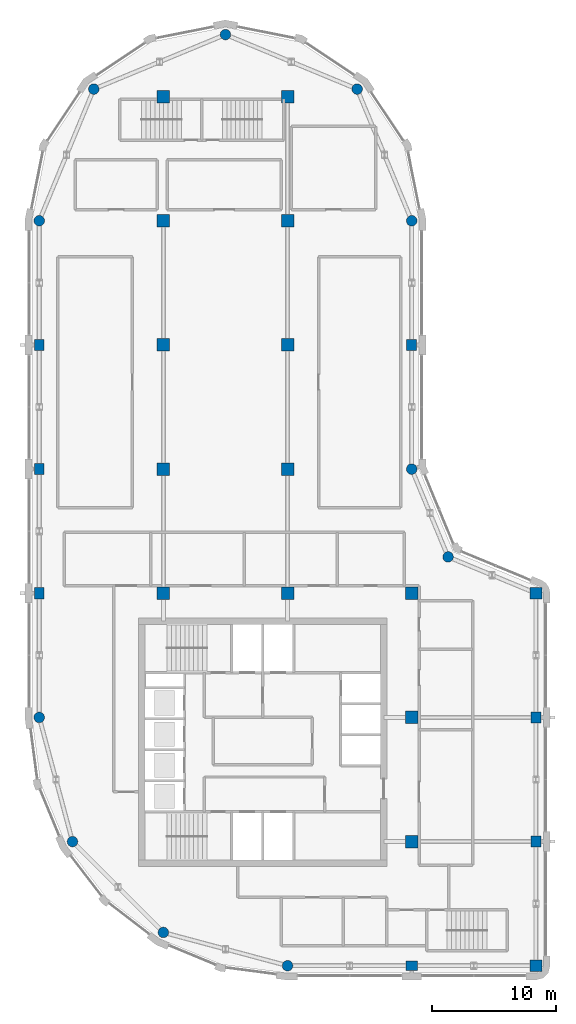
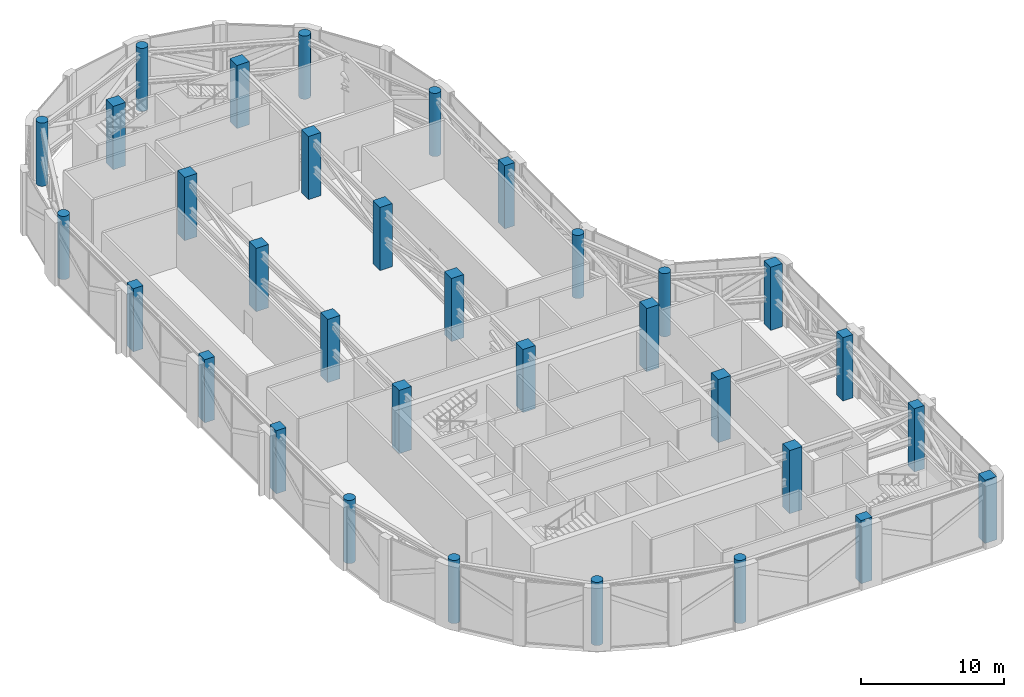
# One storey, part 1 of 18: 33 columns.
"""IFC4 building model written with IfcOpenShell, lengths in metres."""

import ifcopenshell
import ifcopenshell.guid

model = None  # the IFC model being written
_history = None  # IfcOwnerHistory: only IFC2X3 demands one
_inside = {}  # id of a spatial element -> (the spatial element, [elements in it])
_under = {}  # id of a project, library or spatial element -> (it, [spatial elements below it])
_declared = {}  # id of a project -> (the project, [libraries it declares])
_typed = {}  # id of a type object -> (the type object, [elements of that type])
_made_of = {}  # id of a material, layer set ... -> (it, [elements and type objects made of it])


def new_model(schema):
    """Start an empty IFC model of exactly this schema.

    Asked for "IFC4X3", IfcOpenShell would pick the latest addendum, in which some entities
    have other attributes; the version numbers below select the first issue.
    IFC2X3 requires an IfcOwnerHistory on every rooted entity: one is made here for all.
    """
    global model, _history
    if schema == "IFC4X3":
        model = ifcopenshell.file(schema_version=(4, 3, 0, 0))
    else:
        model = ifcopenshell.file(schema=schema)
    _inside.clear()
    _under.clear()
    _declared.clear()
    _typed.clear()
    _made_of.clear()
    _history = None
    if model.schema == "IFC2X3":
        org = make("IfcOrganization", Name="unknown")
        user = make(
            "IfcPersonAndOrganization",
            ThePerson=make("IfcPerson", FamilyName="unknown"),
            TheOrganization=org,
        )
        app = make(
            "IfcApplication",
            ApplicationDeveloper=org,
            Version="unknown",
            ApplicationFullName="unknown",
            ApplicationIdentifier="unknown",
        )
        _history = make(
            "IfcOwnerHistory",
            OwningUser=user,
            OwningApplication=app,
            ChangeAction="ADDED",
            CreationDate=0,
        )
    return model


def make(cls, **values):
    """One entity of the class cls with the attributes given. An attribute that is None is left unset."""
    return model.create_entity(
        cls, **{name: value for name, value in values.items() if value is not None}
    )


def rooted(cls, **values):
    """An entity with a GlobalId (a new one), such as an element, a storey or a relation."""
    return make(cls, GlobalId=ifcopenshell.guid.new(), OwnerHistory=_history, **values)


def si_unit(unit_type, name, prefix=None):
    """IfcSIUnit, for example si_unit("LENGTHUNIT", "METRE", prefix="MILLI")."""
    return make("IfcSIUnit", UnitType=unit_type, Prefix=prefix, Name=name)


def assignment(units):
    """IfcUnitAssignment: the units of a project."""
    return None if units is None else make("IfcUnitAssignment", Units=units)


def point(xyz):
    """IfcCartesianPoint."""
    return None if xyz is None else make("IfcCartesianPoint", Coordinates=xyz)


def direction(xyz):
    """IfcDirection."""
    return None if xyz is None else make("IfcDirection", DirectionRatios=xyz)


def frame(location, z_axis=None, x_axis=None):
    """IfcAxis2Placement3D, a coordinate frame: its origin and axes. An axis left out is left unset."""
    return make(
        "IfcAxis2Placement3D",
        Location=point(location),
        Axis=direction(z_axis),
        RefDirection=direction(x_axis),
    )


def frame_2d(location, x_axis=None):
    """IfcAxis2Placement2D, a coordinate frame in the plane: its origin and x axis."""
    return make(
        "IfcAxis2Placement2D", Location=point(location), RefDirection=direction(x_axis)
    )


def origin():
    """The frame at (0, 0, 0) with its axes left unset."""
    return frame((0.0, 0.0, 0.0))


def origin_2d():
    """The frame at (0, 0) in the plane with its x axis left unset."""
    return frame_2d((0.0, 0.0))


def place(relative_to, where):
    """IfcLocalPlacement: puts the frame where relative to a parent placement (None: the world)."""
    return make(
        "IfcLocalPlacement", PlacementRelTo=relative_to, RelativePlacement=where
    )


def context(
    kind, dimensions, precision=None, world=None, true_north=None, identifier=None
):
    """IfcGeometricRepresentationContext, for example the 3D "Model" context."""
    return make(
        "IfcGeometricRepresentationContext",
        ContextIdentifier=identifier,
        ContextType=kind,
        CoordinateSpaceDimension=dimensions,
        Precision=precision,
        WorldCoordinateSystem=world,
        TrueNorth=true_north,
    )


def subcontext(parent, identifier, kind, view, scale=None):
    """IfcGeometricRepresentationSubContext, for example "Body" below "Model"."""
    return make(
        "IfcGeometricRepresentationSubContext",
        ContextIdentifier=identifier,
        ContextType=kind,
        ParentContext=parent,
        TargetScale=scale,
        TargetView=view,
    )


def project(units=None, contexts=None):
    """IfcProject with its units and contexts."""
    return rooted(
        "IfcProject",
        Name="project",
        RepresentationContexts=contexts,
        UnitsInContext=assignment(units),
    )


def spatial(cls, under=None, at=None, **own):
    """A site, building, storey or space (cls), placed at a placement, below another one or the project."""
    s = rooted(cls, ObjectPlacement=at, **own)
    if under is not None:
        _under.setdefault(under.id(), (under, []))[1].append(s)
    return s


def profile(cls, at=None, kind="AREA", **sizes):
    """A parametric profile (cls). Its sizes go by their IFC names, for example OverallWidth=200.0."""
    return make(cls, ProfileType=kind, Position=at, **sizes)


def rectangle(**sizes):
    """IfcRectangleProfileDef."""
    return profile("IfcRectangleProfileDef", **sizes)


def circle(**sizes):
    """IfcCircleProfileDef."""
    return profile("IfcCircleProfileDef", **sizes)


def extrude(swept, where, along, depth):
    """IfcExtrudedAreaSolid: the profile swept, set in the frame where, extruded along a direction by depth."""
    return make(
        "IfcExtrudedAreaSolid",
        SweptArea=swept,
        Position=where,
        ExtrudedDirection=direction(along),
        Depth=depth,
    )


def shape(context_of_items, identifier, shape_type, items):
    """IfcShapeRepresentation: the items that make up one representation, for example the "Body"."""
    return make(
        "IfcShapeRepresentation",
        ContextOfItems=context_of_items,
        RepresentationIdentifier=identifier,
        RepresentationType=shape_type,
        Items=items,
    )


def material(Name=None, Category=None):
    """IfcMaterial."""
    return make("IfcMaterial", Name=Name, Category=Category)


def material_profile(
    of_material, cross_section, Name=None, Category=None, Priority=None
):
    """IfcMaterialProfile: a cross section and its material."""
    return make(
        "IfcMaterialProfile",
        Name=Name,
        Material=of_material,
        Profile=cross_section,
        Priority=Priority,
        Category=Category,
    )


def profile_set(profiles, Name=None, composite=None):
    """IfcMaterialProfileSet."""
    return make(
        "IfcMaterialProfileSet",
        Name=Name,
        MaterialProfiles=profiles,
        CompositeProfile=composite,
    )


def made_of(thing, what):
    """Note that an element or type object is made of a material, layer set ...; save() writes the relation."""
    if what is not None:
        _made_of.setdefault(what.id(), (what, []))[1].append(thing)
    return thing


def type_object(cls, material=None, **own):
    """A type object (cls), such as IfcWallType, which elements share."""
    return made_of(rooted(cls, **own), material)


def element(
    cls,
    number,
    at=None,
    inside=None,
    cuts=None,
    type_object=None,
    material=None,
    context=None,
    identifier="Body",
    shape_type=None,
    held_by="IfcProductDefinitionShape",
    body=None,
    shapes=None,
    **own,
):
    """One element of the class cls, such as IfcWall. Its Tag is "e" and its number.

    at: its placement. inside: the storey or other place that contains it. cuts: it is an
    opening in that element (IfcRelVoidsElement). A single representation is given by context,
    identifier, shape_type and body (its items); several are given by shapes. held_by: the class
    of the entity that holds the representations. save() writes the other relations.
    """
    e = rooted(cls, Tag="e%d" % number, ObjectPlacement=at, **own)
    if body is not None:
        shapes = [shape(context, identifier, shape_type, body)]
    if shapes is not None:
        e.Representation = make(held_by, Representations=shapes)
    if inside is not None:
        _inside.setdefault(inside.id(), (inside, []))[1].append(e)
    if cuts is not None:
        rooted(
            "IfcRelVoidsElement", RelatingBuildingElement=cuts, RelatedOpeningElement=e
        )
    if type_object is not None:
        _typed.setdefault(type_object.id(), (type_object, []))[1].append(e)
    return made_of(e, material)


def aggregate(whole, parts):
    """IfcRelAggregates: a whole, such as a stair, and the parts it consists of."""
    return rooted("IfcRelAggregates", RelatingObject=whole, RelatedObjects=parts)


def save(model, path):
    """Write the relations noted so far, then the file.

    IfcRelAggregates (storeys below a building ...), IfcRelContainedInSpatialStructure (elements
    in a storey), IfcRelDefinesByType, IfcRelAssociatesMaterial and IfcRelDeclares: one each for
    every whole, place, type object, material and project.
    """
    for whole, parts in _under.values():
        aggregate(whole, parts)
    for where, things in _inside.values():
        rooted(
            "IfcRelContainedInSpatialStructure",
            RelatedElements=things,
            RelatingStructure=where,
        )
    for kind, things in _typed.values():
        rooted("IfcRelDefinesByType", RelatedObjects=things, RelatingType=kind)
    for what, things in _made_of.values():
        rooted("IfcRelAssociatesMaterial", RelatedObjects=things, RelatingMaterial=what)
    for by, libraries in _declared.values():
        rooted("IfcRelDeclares", RelatingContext=by, RelatedDefinitions=libraries)
    model.write(path)


model = new_model("IFC4")

# Units and contexts
model_context = context("Model", 3, precision=1e-05, world=origin(), true_north=direction((0.0, 1.0)))
body_context = subcontext(model_context, "Body", "Model", "MODEL_VIEW")
ifc_project = project(units=[si_unit("LENGTHUNIT", "METRE"), si_unit("AREAUNIT", "SQUARE_METRE"), si_unit("VOLUMEUNIT", "CUBIC_METRE"), si_unit("PLANEANGLEUNIT", "RADIAN"), si_unit("MASSUNIT", "GRAM", prefix="KILO")], contexts=[model_context])

# Site, building, storey
site_placement = place(None, origin())
site = spatial("IfcSite", under=ifc_project, at=site_placement, CompositionType="ELEMENT")
building_placement = place(site_placement, origin())
building = spatial("IfcBuilding", under=site, at=building_placement, Name="Qaws Garden Tower", CompositionType="ELEMENT")
storey_placement = place(building_placement, frame((0.0, 0.0, 352.800048828125)))
storey = spatial("IfcBuildingStorey", under=building, at=storey_placement, Name="L86", CompositionType="ELEMENT", Elevation=352.800048828125)

# Columns
ifc_material_1 = material(Name="Concrete C60", Category="concrete")
ifc_material_profile_1 = material_profile(ifc_material_1, rectangle(XDim=1.0, YDim=1.0, at=origin_2d()), Name="RC 1000x1000")
ifc_profile_set_1 = profile_set([ifc_material_profile_1], Name="Concrete C60")
column_type_1 = type_object("IfcColumnType", Name="Column RC 1000x1000 C60", PredefinedType="COLUMN", material=ifc_profile_set_1)
for number, where, z_axis, x_axis, name in (
    (1, (10.0, 30.0, 0.0), (0.0, 0.0, 1.0), (1.0, 0.0, 0.0), "Column L86-021"),
    (2, (10.0, 40.0, 0.0), (0.0, 0.0, 1.0), (1.0, 0.0, 0.0), "Column L86-022"),
    (3, (10.0, 50.0, 0.0), (0.0, 0.0, 1.0), (1.0, 0.0, 0.0), "Column L86-023"),
    (4, (10.0, 60.0, 0.0), (0.0, 0.0, 1.0), (1.0, 0.0, 0.0), "Column L86-024"),
    (5, (10.0, 70.0, 0.0), (0.0, 0.0, 1.0), (1.0, 0.0, 0.0), "Column L86-025"),
    (6, (20.0, 30.0, 0.0), (0.0, 0.0, 1.0), (1.0, 0.0, 0.0), "Column L86-026"),
    (7, (20.0, 40.0, 0.0), (0.0, 0.0, 1.0), (1.0, 0.0, 0.0), "Column L86-027"),
    (8, (20.0, 50.0, 0.0), (0.0, 0.0, 1.0), (1.0, 0.0, 0.0), "Column L86-028"),
    (9, (20.0, 60.0, 0.0), (0.0, 0.0, 1.0), (1.0, 0.0, 0.0), "Column L86-029"),
    (10, (20.0, 70.0, 0.0), (0.0, 0.0, 1.0), (1.0, 0.0, 0.0), "Column L86-030"),
    (11, (30.0, 10.0, 0.0), (0.0, 0.0, 1.0), (1.0, 0.0, 0.0), "Column L86-031"),
    (12, (30.0, 20.0, 0.0), (0.0, 0.0, 1.0), (1.0, 0.0, 0.0), "Column L86-032"),
    (13, (30.0, 30.0, 0.0), (0.0, 0.0, 1.0), (1.0, 0.0, 0.0), "Column L86-033"),
):
    element("IfcColumn", number, at=place(storey_placement, frame(where, z_axis=z_axis, x_axis=x_axis)), inside=storey, type_object=column_type_1, Name=name, PredefinedType="COLUMN", context=body_context, shape_type="SweptSolid", body=[
        extrude(rectangle(XDim=1.0, YDim=1.0, at=origin_2d()), origin(), (0.0, 0.0, 1.0), 5.39990234375),
    ])
ifc_material_2 = material(Name="Concrete C60", Category="concrete")
ifc_material_profile_2 = material_profile(ifc_material_2, rectangle(XDim=0.89990234375, YDim=0.800048828125, at=origin_2d()), Name="RC 900x800")
ifc_profile_set_2 = profile_set([ifc_material_profile_2], Name="Concrete C60")
column_type_2 = type_object("IfcColumnType", Name="Column RC 900x800 C60", PredefinedType="COLUMN", material=ifc_profile_set_2)
for number, where, z_axis, x_axis, name in (
    (14, (30.0, 0.0, 0.0), (0.0, 0.0, 1.0), (1.0, 0.0, 0.0), "Column L86-002"),
    (15, (40.0, 10.0, 0.0), (0.0, 0.0, 1.0), (0.0, 1.0, 0.0), "Column L86-004"),
    (16, (40.0, 20.0, 0.0), (0.0, 0.0, 1.0), (0.0, 1.0, 0.0), "Column L86-005"),
    (17, (30.0, 50.0, 0.0), (0.0, 0.0, 1.0), (0.0, 1.0, 0.0), "Column L86-009"),
    (18, (0.0, 50.0, 0.0), (0.0, 0.0, 1.0), (0.0, 1.0, 0.0), "Column L86-015"),
    (19, (0.0, 40.0, 0.0), (0.0, 0.0, 1.0), (0.0, 1.0, 0.0), "Column L86-016"),
    (20, (0.0, 30.0, 0.0), (0.0, 0.0, 1.0), (0.0, 1.0, 0.0), "Column L86-017"),
):
    element("IfcColumn", number, at=place(storey_placement, frame(where, z_axis=z_axis, x_axis=x_axis)), inside=storey, type_object=column_type_2, Name=name, PredefinedType="COLUMN", context=body_context, shape_type="SweptSolid", body=[
        extrude(rectangle(XDim=0.89990234375, YDim=0.800048828125, at=origin_2d()), origin(), (0.0, 0.0, 1.0), 5.39990234375),
    ])
ifc_material_3 = material(Name="Concrete C60", Category="concrete")
ifc_material_profile_3 = material_profile(ifc_material_3, rectangle(XDim=0.949951171875, YDim=0.949951171875, at=origin_2d()), Name="RC 950x950")
ifc_profile_set_3 = profile_set([ifc_material_profile_3], Name="Concrete C60")
column_type_3 = type_object("IfcColumnType", Name="Column RC 950x950 C60", PredefinedType="COLUMN", material=ifc_profile_set_3)
for number, where, z_axis, x_axis, name in (
    (21, (40.0, 0.0, 0.0), (0.0, 0.0, 1.0), (1.0, 0.0, 0.0), "Column L86-003"),
    (22, (40.0, 30.0, 0.0), (0.0, 0.0, 1.0), (1.0, 0.0, 0.0), "Column L86-006"),
):
    element("IfcColumn", number, at=place(storey_placement, frame(where, z_axis=z_axis, x_axis=x_axis)), inside=storey, type_object=column_type_3, Name=name, PredefinedType="COLUMN", context=body_context, shape_type="SweptSolid", body=[
        extrude(rectangle(XDim=0.949951171875, YDim=0.949951171875, at=origin_2d()), origin(), (0.0, 0.0, 1.0), 5.39990234375),
    ])
ifc_material_4 = material(Name="Concrete C60", Category="concrete")
ifc_material_profile_4 = material_profile(ifc_material_4, circle(Radius=0.425048828125, at=origin_2d()), Name="RC D850")
ifc_profile_set_4 = profile_set([ifc_material_profile_4], Name="Concrete C60")
column_type_4 = type_object("IfcColumnType", Name="Column RC D850 C60", PredefinedType="COLUMN", material=ifc_profile_set_4)
for number, where, z_axis, x_axis, name in (
    (23, (20.0, 0.0, 0.0), (0.0, 0.0, 1.0), (1.0, 0.0, 0.0), "Column L86-001"),
    (24, (32.928955078125, 32.928955078125, 0.0), (0.0, 0.0, 1.0), (1.0, 0.0, 0.0), "Column L86-007"),
    (25, (30.0, 40.0, 0.0), (0.0, 0.0, 1.0), (1.0, 0.0, 0.0), "Column L86-008"),
    (26, (30.0, 60.0, 0.0), (0.0, 0.0, 1.0), (1.0, 0.0, 0.0), "Column L86-010"),
    (27, (25.606689453125, 70.606689453125, 0.0), (0.0, 0.0, 1.0), (1.0, 0.0, 0.0), "Column L86-011"),
    (28, (15.0, 75.0, 0.0), (0.0, 0.0, 1.0), (1.0, 0.0, 0.0), "Column L86-012"),
    (29, (4.393310546875, 70.606689453125, 0.0), (0.0, 0.0, 1.0), (1.0, 0.0, 0.0), "Column L86-013"),
    (30, (0.0, 60.0, 0.0), (0.0, 0.0, 1.0), (1.0, 0.0, 0.0), "Column L86-014"),
    (31, (0.0, 20.0, 0.0), (0.0, 0.0, 1.0), (1.0, 0.0, 0.0), "Column L86-018"),
    (32, (2.679443359375, 10.0, 0.0), (0.0, 0.0, 1.0), (1.0, 0.0, 0.0), "Column L86-019"),
    (33, (10.0, 2.679443359375, 0.0), (0.0, 0.0, 1.0), (1.0, 0.0, 0.0), "Column L86-020"),
):
    element("IfcColumn", number, at=place(storey_placement, frame(where, z_axis=z_axis, x_axis=x_axis)), inside=storey, type_object=column_type_4, Name=name, PredefinedType="COLUMN", context=body_context, shape_type="SweptSolid", body=[
        extrude(circle(Radius=0.425048828125, at=origin_2d()), origin(), (0.0, 0.0, 1.0), 5.39990234375),
    ])

save(model, "model.ifc")
